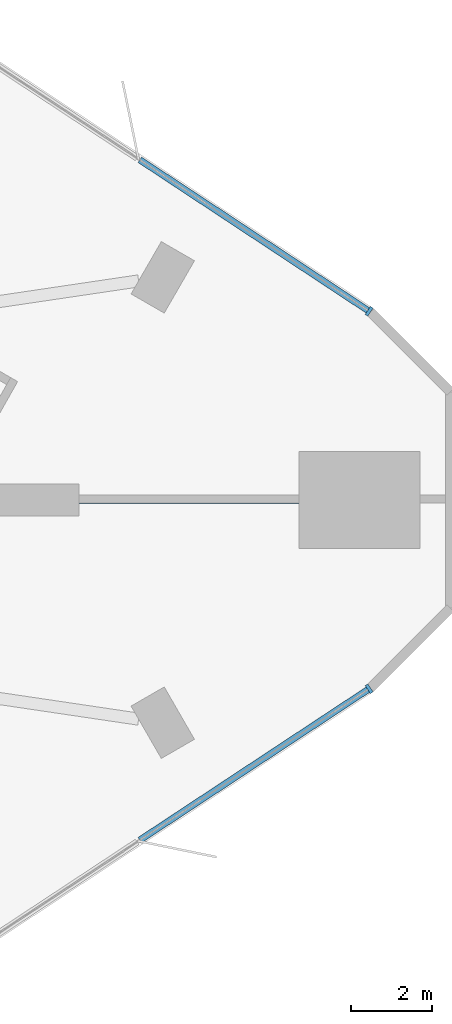
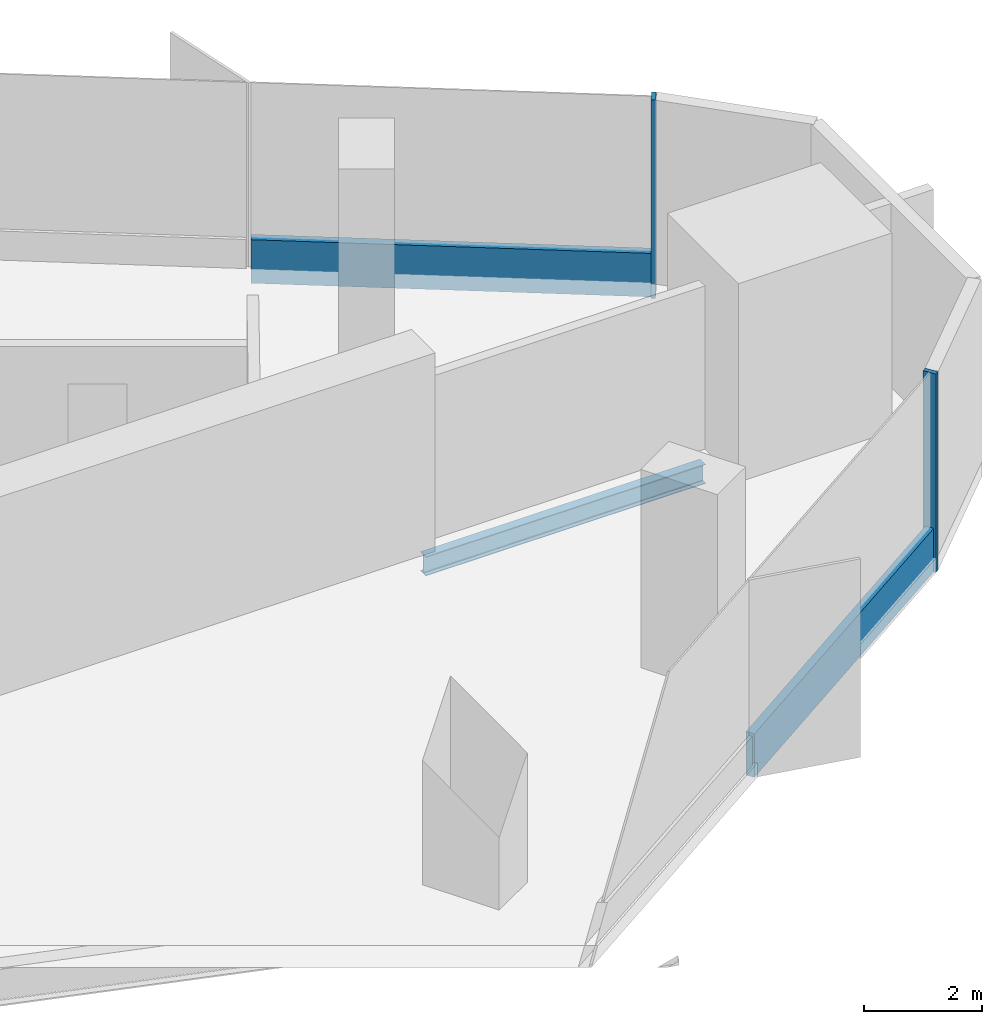
# One storey, part 6 of 14: 4 members, 1 beam, 2 elements without a shape of their own.
"""IFC4 building model written with IfcOpenShell, lengths in metres."""

from ifc_helpers import new_model, si_unit, direction, frame, origin, origin_2d, place, context, subcontext, project, spatial, rectangle, i_section, extrude, material, material_profile, profile_set, type_object, element, aggregate, save


model = new_model("IFC4")

# Units and contexts
model_context = context("Model", 3, precision=1e-05, world=origin(), true_north=direction((0.0, 1.0)))
body_context = subcontext(model_context, "Body", "Model", "MODEL_VIEW")
ifc_project = project(units=[si_unit("LENGTHUNIT", "METRE"), si_unit("AREAUNIT", "SQUARE_METRE"), si_unit("VOLUMEUNIT", "CUBIC_METRE"), si_unit("PLANEANGLEUNIT", "RADIAN"), si_unit("MASSUNIT", "GRAM", prefix="KILO")], contexts=[model_context])

# Site, building, storey
site_placement = place(None, origin())
site = spatial("IfcSite", under=ifc_project, at=site_placement, CompositionType="ELEMENT")
building_placement = place(site_placement, origin())
building = spatial("IfcBuilding", under=site, at=building_placement, Name="Tanit Gate Tower", CompositionType="ELEMENT")
storey_placement = place(building_placement, frame((0.0, 0.0, 53.699951171875)))
storey = spatial("IfcBuildingStorey", under=building, at=storey_placement, Name="L09", CompositionType="ELEMENT", Elevation=53.699951171875)

# Curtain wall, member
ifc_material_1 = material(Name="Aluminium bronze anodised and glass", Category="aluminium")
curtain_wall_type = type_object("IfcCurtainWallType", Name="Curtain wall typical low", PredefinedType="NOTDEFINED", material=ifc_material_1)
curtain_wall_1_placement = place(storey_placement, origin())
curtain_wall_1 = element("IfcCurtainWall", 1, at=curtain_wall_1_placement, inside=storey, type_object=curtain_wall_type, Name="Curtain wall L09 NE1", PredefinedType="NOTDEFINED")
ifc_material_2 = material(Name="Aluminium bronze anodised", Category="aluminium")
ifc_material_profile_1 = material_profile(ifc_material_2, rectangle(XDim=0.239990234375, YDim=0.080078125, at=origin_2d()), Name="80x240 bronze mullion")
ifc_profile_set_1 = profile_set([ifc_material_profile_1], Name="Aluminium bronze anodised")
member_type_1 = type_object("IfcMemberType", Name="Mullion 80x240 typical low", PredefinedType="MULLION", material=ifc_profile_set_1)
member_1_placement = place(storey_placement, frame((42.453857421875, 4.68798828125, -0.300048828125), z_axis=(0.0, 0.0, 1.0), x_axis=(-0.550903155031, -0.834569178545, 0.0)))
member_1 = element("IfcMember", 2, at=member_1_placement, type_object=member_type_1, Name="Mullion L09 NE1.1", PredefinedType="MULLION", context=body_context, shape_type="SweptSolid", body=[
    extrude(rectangle(XDim=0.239990234375, YDim=0.080078125, at=origin_2d()), origin(), (0.0, 0.0, 1.0), 4.10009765625),
])

curtain_wall_2_placement = place(storey_placement, origin())
curtain_wall_2 = element("IfcCurtainWall", 3, at=curtain_wall_2_placement, inside=storey, type_object=curtain_wall_type, Name="Curtain wall L09 SE3", PredefinedType="NOTDEFINED")
member_2_placement = place(storey_placement, frame((42.453857421875, -4.687744140625, -0.300048828125), z_axis=(0.0, 0.0, 1.0), x_axis=(-0.550730158129, 0.834683348898, 0.0)))
member_2 = element("IfcMember", 4, at=member_2_placement, type_object=member_type_1, Name="Mullion L09 SE3.3", PredefinedType="MULLION", context=body_context, shape_type="SweptSolid", body=[
    extrude(rectangle(XDim=0.239990234375, YDim=0.080078125, at=origin_2d()), origin(), (0.0, 0.0, 1.0), 4.10009765625),
])

# Beam
ifc_material_3 = material(Name="Steel S355", Category="steel")
ifc_material_profile_2 = material_profile(ifc_material_3, i_section(OverallWidth=0.179931640625, OverallDepth=0.39990234375, WebThickness=0.008544921875, FlangeThickness=0.013427734375, FilletRadius=0.02099609375, at=origin_2d()), Name="IPE 400")
ifc_profile_set_2 = profile_set([ifc_material_profile_2], Name="Steel S355")
beam_type = type_object("IfcBeamType", Name="RADIAL GIRDER IPE 400 S355", PredefinedType="BEAM", material=ifc_profile_set_2)
beam_placement = place(storey_placement, frame((40.711181640625, 0.0, -0.5), z_axis=(-1.0, 0.0, 0.0), x_axis=(0.0, -1.0, 0.0)))
element("IfcBeam", 5, at=beam_placement, inside=storey, type_object=beam_type, Name="RADIAL GIRDER", PredefinedType="BEAM", context=body_context, shape_type="SweptSolid", body=[
    extrude(i_section(OverallWidth=0.179931640625, OverallDepth=0.39990234375, WebThickness=0.008544921875, FlangeThickness=0.013427734375, FilletRadius=0.02099609375, at=origin_2d()), origin(), (0.0, 0.0, 1.0), 5.463134765625),
])

# Member
ifc_material_4 = material(Name="Aluminium bronze anodised", Category="aluminium")
ifc_material_profile_3 = material_profile(ifc_material_4, rectangle(XDim=0.159912109375, YDim=0.89990234375, at=origin_2d()), Name="160x900 bronze transom")
ifc_profile_set_3 = profile_set([ifc_material_profile_3], Name="Aluminium bronze anodised")
member_type_2 = type_object("IfcMemberType", Name="Transom 160x900 typical low", PredefinedType="USERDEFINED", material=ifc_profile_set_3)
member_3_placement = place(storey_placement, frame((42.42041015625, 4.7099609375, 0.150146484375), z_axis=(-0.834562062149, 0.550913935585, 0.0), x_axis=(-0.550913935585, -0.834562062149, 0.0)))
member_3 = element("IfcMember", 6, at=member_3_placement, type_object=member_type_2, Name="Transom L09 NE1.1", ObjectType="TRANSOM", PredefinedType="USERDEFINED", context=body_context, shape_type="SweptSolid", body=[
    extrude(rectangle(XDim=0.159912109375, YDim=0.89990234375, at=origin_2d()), origin(), (0.0, 0.0, 1.0), 6.78076171875),
])

aggregate(curtain_wall_1, [member_1, member_3])

member_4_placement = place(storey_placement, frame((36.7607421875, -8.4443359375, 0.150146484375), z_axis=(0.834677598781, 0.550738872873, 0.0), x_axis=(-0.550738872873, 0.834677598781, 0.0)))
member_4 = element("IfcMember", 7, at=member_4_placement, type_object=member_type_2, Name="Transom L09 SE3.2", ObjectType="TRANSOM", PredefinedType="USERDEFINED", context=body_context, shape_type="SweptSolid", body=[
    extrude(rectangle(XDim=0.159912109375, YDim=0.89990234375, at=origin_2d()), origin(), (0.0, 0.0, 1.0), 6.78076171875),
])

aggregate(curtain_wall_2, [member_2, member_4])

save(model, "model.ifc")
